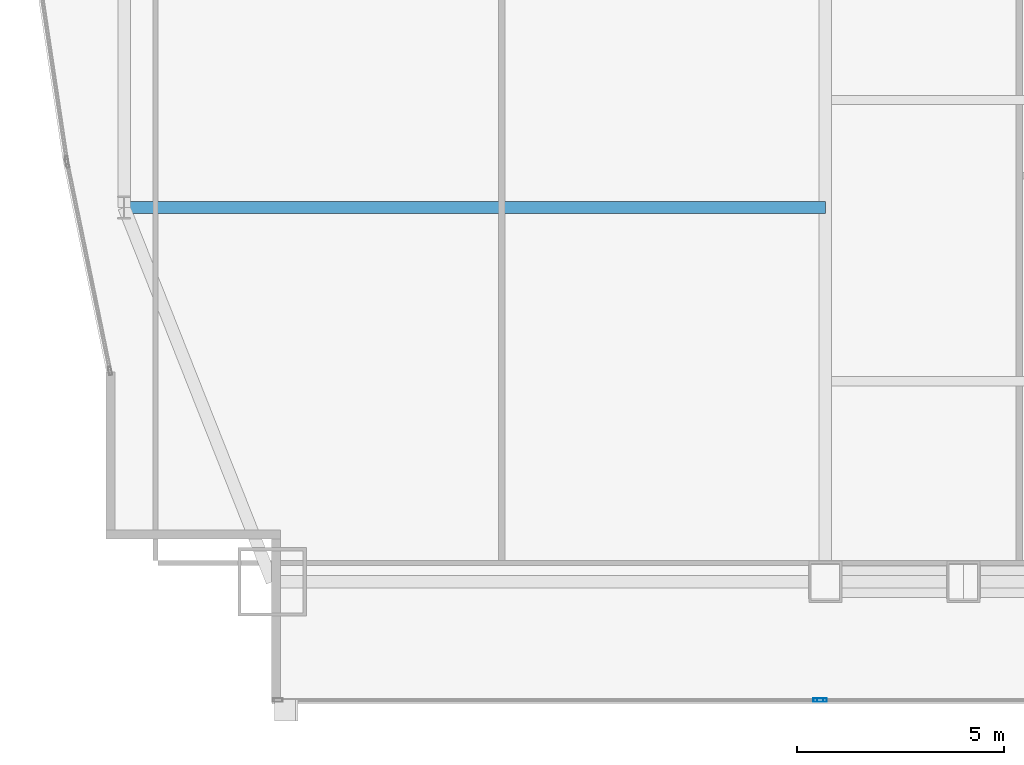
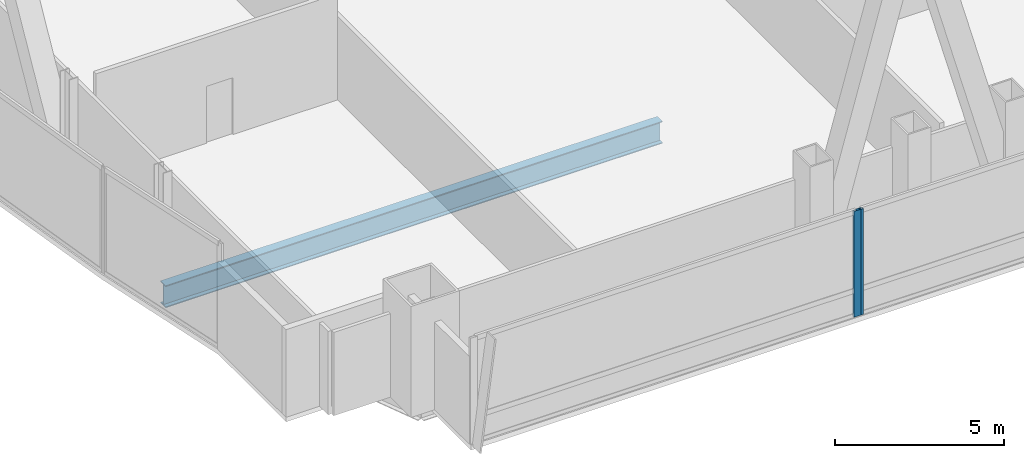
# One storey, part 7 of 36: 2 members, 1 beam, 2 elements without a shape of their own.
"""IFC4 building model written with IfcOpenShell, lengths in metres."""

from ifc_helpers import new_model, si_unit, direction, frame, origin, origin_2d, place, context, subcontext, project, spatial, hollow_rectangle, i_section, extrude, material, material_profile, profile_set, type_object, element, aggregate, save


model = new_model("IFC4")

# Units and contexts
model_context = context("Model", 3, precision=1e-05, world=origin(), true_north=direction((0.0, 1.0)))
body_context = subcontext(model_context, "Body", "Model", "MODEL_VIEW")
ifc_project = project(units=[si_unit("LENGTHUNIT", "METRE"), si_unit("AREAUNIT", "SQUARE_METRE"), si_unit("VOLUMEUNIT", "CUBIC_METRE"), si_unit("PLANEANGLEUNIT", "RADIAN"), si_unit("MASSUNIT", "GRAM", prefix="KILO")], contexts=[model_context])

# Site, building, storey
site_placement = place(None, origin())
site = spatial("IfcSite", under=ifc_project, at=site_placement, CompositionType="ELEMENT")
building_placement = place(site_placement, origin())
building = spatial("IfcBuilding", under=site, at=building_placement, Name="Khoronbel Lancet Exchange", CompositionType="ELEMENT")
storey_placement = place(building_placement, frame((0.0, 0.0, 49.800048828125)))
storey = spatial("IfcBuildingStorey", under=building, at=storey_placement, Name="L11", CompositionType="ELEMENT", Elevation=49.800048828125)

# Beam
ifc_material_1 = material(Name="Steel S355", Category="steel")
ifc_material_profile_1 = material_profile(ifc_material_1, i_section(OverallWidth=0.300048828125, OverallDepth=0.800048828125, WebThickness=0.017578125, FlangeThickness=0.032958984375, at=origin_2d()), Name="HEB 800")
ifc_profile_set_1 = profile_set([ifc_material_profile_1], Name="Steel S355")
beam_type = type_object("IfcBeamType", Name="BM-BG2", PredefinedType="BEAM", material=ifc_profile_set_1)
beam_placement = place(storey_placement, frame((1.27001953125, 19.199951171875, -0.580078125), z_axis=(1.0, 0.0, 0.0), x_axis=(0.0, 1.0, 0.0)))
element("IfcBeam", 1, at=beam_placement, inside=storey, type_object=beam_type, Name="Level L11 west lens tie girder LG1W", PredefinedType="BEAM", context=body_context, shape_type="SweptSolid", body=[
    extrude(i_section(OverallWidth=0.300048828125, OverallDepth=0.800048828125, WebThickness=0.017578125, FlangeThickness=0.032958984375, at=origin_2d()), origin(), (0.0, 0.0, 1.0), 16.955078125),
])

# Curtain wall, member
ifc_material_2 = material(Name="Low-E Solar Control Insulating Glass", Category="glass")
curtain_wall_type = type_object("IfcCurtainWallType", Name="CW-1", PredefinedType="NOTDEFINED", material=ifc_material_2)
curtain_wall_1_placement = place(storey_placement, origin())
curtain_wall_1 = element("IfcCurtainWall", 2, at=curtain_wall_1_placement, inside=storey, type_object=curtain_wall_type, Name="Unitised curtain wall CW-L11-SWV", PredefinedType="NOTDEFINED")
ifc_material_3 = material(Name="Bronze-Anodised Aluminium 6063-T6", Category="aluminium")
ifc_material_profile_2 = material_profile(ifc_material_3, hollow_rectangle(XDim=0.0849609375, YDim=0.239990234375, WallThickness=0.006103515625, at=origin_2d()), Name="ALU MULLION 85x240")
ifc_profile_set_2 = profile_set([ifc_material_profile_2], Name="Bronze-Anodised Aluminium 6063-T6")
member_type = type_object("IfcMemberType", Name="MEM-CWM1", PredefinedType="MULLION", material=ifc_profile_set_2)
member_1_placement = place(storey_placement, frame((18.0576171875, 7.2900390625, 0.0), z_axis=(0.0, 0.0, 1.0), x_axis=(0.0, 1.0, 0.0)))
member_1 = element("IfcMember", 3, at=member_1_placement, type_object=member_type, Name="CW1 mullion 2", PredefinedType="MULLION", context=body_context, shape_type="SweptSolid", body=[
    extrude(hollow_rectangle(XDim=0.0849609375, YDim=0.239990234375, WallThickness=0.006103515625, at=origin_2d()), origin(), (0.0, 0.0, 1.0), 3.820068359375),
])
aggregate(curtain_wall_1, [member_1])

curtain_wall_2_placement = place(storey_placement, origin())
curtain_wall_2 = element("IfcCurtainWall", 4, at=curtain_wall_2_placement, inside=storey, type_object=curtain_wall_type, Name="Unitised curtain wall CW-L11-SWB", PredefinedType="NOTDEFINED")
member_2_placement = place(storey_placement, frame((18.142578125, 7.2900390625, 0.0), z_axis=(0.0, 0.0, 1.0), x_axis=(0.0, 1.0, 0.0)))
member_2 = element("IfcMember", 5, at=member_2_placement, type_object=member_type, Name="CW1 mullion 1", PredefinedType="MULLION", context=body_context, shape_type="SweptSolid", body=[
    extrude(hollow_rectangle(XDim=0.0849609375, YDim=0.239990234375, WallThickness=0.006103515625, at=origin_2d()), origin(), (0.0, 0.0, 1.0), 3.820068359375),
])
aggregate(curtain_wall_2, [member_2])

save(model, "model.ifc")
